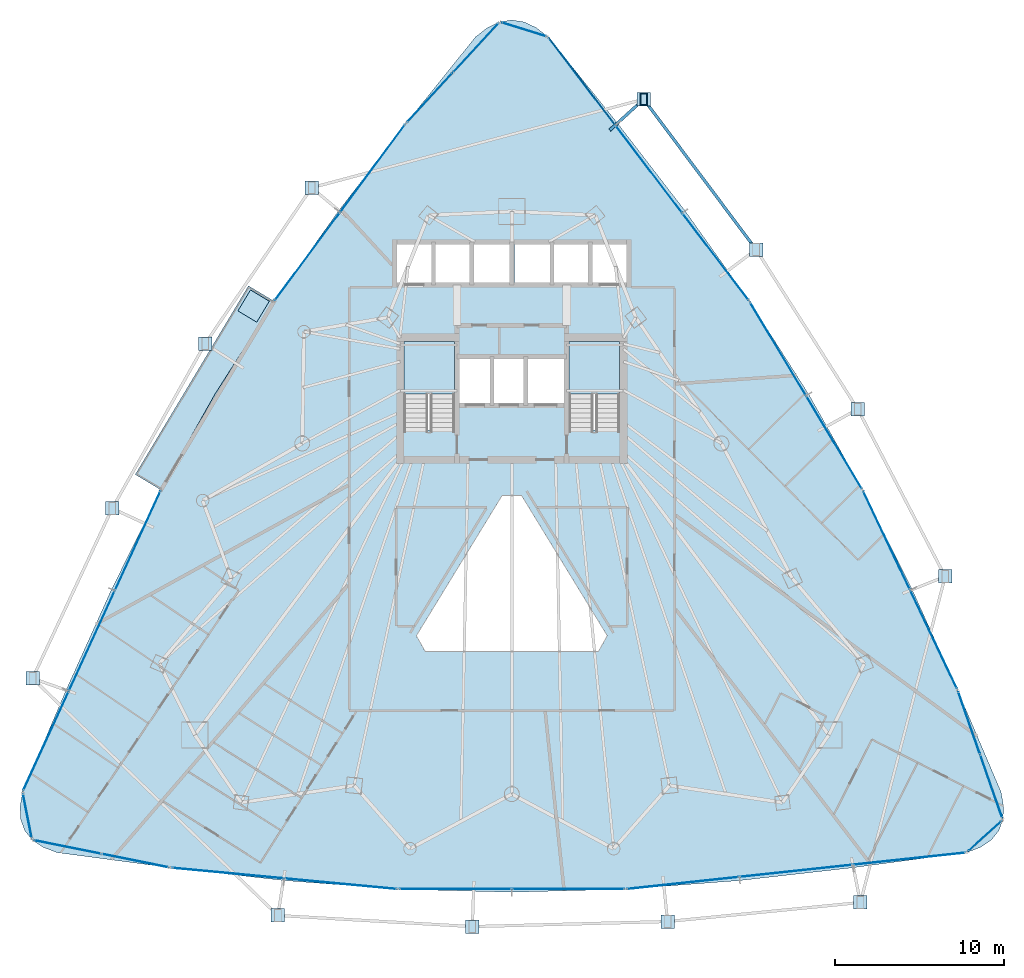
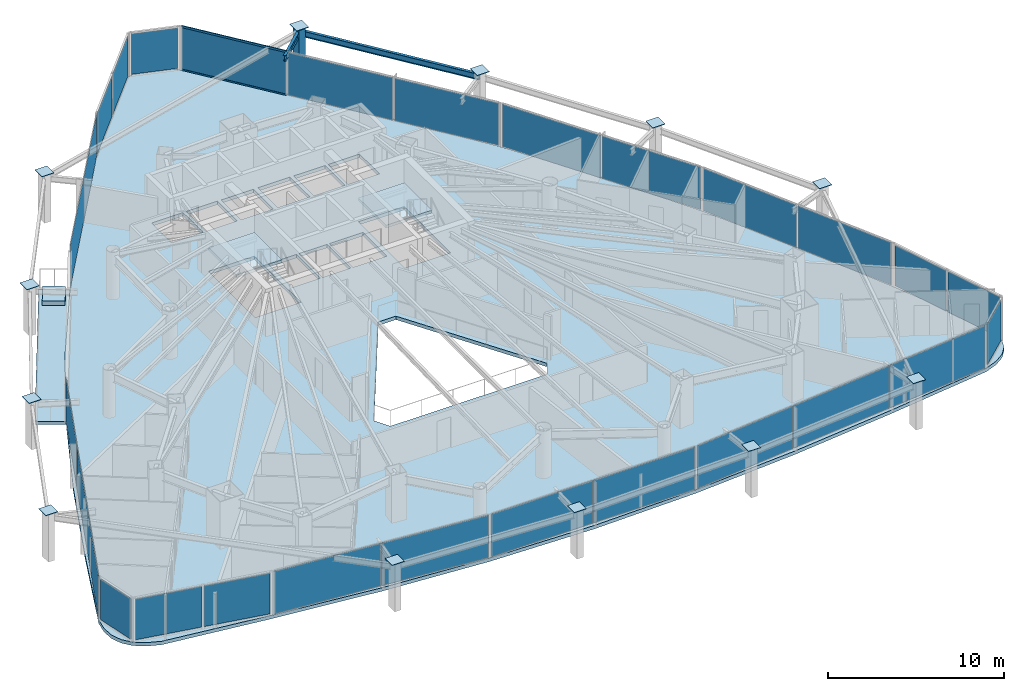
# One storey, part 28 of 35: 40 plates, 5 slabs, 3 members, 2 beams, 16 elements without a shape of their own.
"""IFC4 building model written with IfcOpenShell, lengths in metres."""

from ifc_helpers import new_model, si_unit, direction, frame, origin, origin_2d, place, context, subcontext, project, spatial, polyline, rectangle, hollow_rectangle, i_section, outline, extrude, material, layer, layer_set, material_profile, profile_set, type_object, element, aggregate, save


model = new_model("IFC4")

# Units and contexts
model_context = context("Model", 3, precision=1e-05, world=origin(), true_north=direction((0.0, 1.0)))
body_context = subcontext(model_context, "Body", "Model", "MODEL_VIEW")
ifc_project = project(units=[si_unit("LENGTHUNIT", "METRE"), si_unit("AREAUNIT", "SQUARE_METRE"), si_unit("VOLUMEUNIT", "CUBIC_METRE"), si_unit("PLANEANGLEUNIT", "RADIAN"), si_unit("MASSUNIT", "GRAM", prefix="KILO")], contexts=[model_context])

# Site, building, storey
site_placement = place(None, origin())
site = spatial("IfcSite", under=ifc_project, at=site_placement, CompositionType="ELEMENT")
building_placement = place(site_placement, origin())
building = spatial("IfcBuilding", under=site, at=building_placement, Name="Orvanel Arch Residences", CompositionType="ELEMENT")
storey_placement = place(building_placement, frame((0.0, 0.0, 30.199951171875)))
storey = spatial("IfcBuildingStorey", under=building, at=storey_placement, Name="L07", CompositionType="ELEMENT", Elevation=30.199951171875)

# Member
ifc_material_1 = material(Name="Structural steel AS/NZS 3678 Grade 350", Category="steel")
ifc_material_profile_1 = material_profile(ifc_material_1, hollow_rectangle(XDim=0.419921875, YDim=0.719970703125, WallThickness=0.02490234375, at=origin_2d()), Name="RHS720x420x25")
ifc_profile_set_1 = profile_set([ifc_material_profile_1], Name="Structural steel AS/NZS 3678 Grade 350")
member_type_1 = type_object("IfcMemberType", Name="CH-720RHS-EXT", PredefinedType="CHORD", material=ifc_profile_set_1)
member_1_placement = place(storey_placement, frame((40.822021484375, 48.05908203125, 0.0), z_axis=(0.0, 0.0, 1.0), x_axis=(1.0, 0.0, 0.0)))
element("IfcMember", 1, at=member_1_placement, inside=storey, type_object=member_type_1, Name="L07 Outer Perimeter Frame Post 12", PredefinedType="CHORD", context=body_context, shape_type="SweptSolid", body=[
    extrude(hollow_rectangle(XDim=0.419921875, YDim=0.719970703125, WallThickness=0.02490234375, at=origin_2d()), origin(), (0.0, 0.0, 1.0), 3.300048828125),
])

# Beams
ifc_material_2 = material(Name="Structural steel AS/NZS 3679.1 Grade 300 (300 MPa)", Category="steel")
ifc_material_profile_2 = material_profile(ifc_material_2, i_section(OverallWidth=0.177978515625, OverallDepth=0.406005859375, WebThickness=0.0078125, FlangeThickness=0.0126953125, at=origin_2d()), Name="410UB59.7")
ifc_profile_set_2 = profile_set([ifc_material_profile_2], Name="Structural steel AS/NZS 3679.1 Grade 300 (300 MPa)")
beam_type = type_object("IfcBeamType", Name="OB-410UB-EXT", PredefinedType="SPANDREL", material=ifc_profile_set_2)
beam_1_placement = place(storey_placement, frame((47.489013671875, 39.14306640625, 2.85693359375), z_axis=(-0.598848523343, 0.800862314065, 0.0), x_axis=(-0.800862314065, -0.598848523343, 0.0)))
element("IfcBeam", 2, at=beam_1_placement, inside=storey, type_object=beam_type, Name="L07 Outer Perimeter Floor Ring Beam 11", PredefinedType="SPANDREL", context=body_context, shape_type="SweptSolid", body=[
    extrude(i_section(OverallWidth=0.177978515625, OverallDepth=0.406005859375, WebThickness=0.0078125, FlangeThickness=0.0126953125, at=origin_2d()), origin(), (0.0, 0.0, 1.0), 11.133056640625),
])
beam_2_placement = place(storey_placement, frame((38.80810546875, 46.221923828125, 2.85693359375), z_axis=(0.738784017848, 0.673942263827, 0.0), x_axis=(-0.673942263827, 0.738784017848, 0.0)))
element("IfcBeam", 3, at=beam_2_placement, inside=storey, type_object=beam_type, Name="L07 Outer Frame Radial Tie Beam 12", PredefinedType="SPANDREL", context=body_context, shape_type="SweptSolid", body=[
    extrude(i_section(OverallWidth=0.177978515625, OverallDepth=0.406005859375, WebThickness=0.0078125, FlangeThickness=0.0126953125, at=origin_2d()), origin(), (0.0, 0.0, 1.0), 2.72607421875),
])

# Curtain wall, members
ifc_material_3 = material(Name="Bronze-anodised aluminium AA6063-T6", Category="aluminium")
ifc_layer_1 = layer(ifc_material_3, 0.179931640625)
ifc_layer_set_1 = layer_set([ifc_layer_1], Name="Bronze-anodised aluminium AA6063-T6")
curtain_wall_type_1 = type_object("IfcCurtainWallType", Name="CW2-LOW-SYS", PredefinedType="NOTDEFINED", material=ifc_layer_set_1)
curtain_wall_1_placement = place(storey_placement, origin())
curtain_wall_1 = element("IfcCurtainWall", 4, at=curtain_wall_1_placement, inside=storey, type_object=curtain_wall_type_1, Name="L07 CW2-LOW-SYS Unitised Curtain Wall", PredefinedType="NOTDEFINED")
ifc_material_profile_3 = material_profile(ifc_material_3, hollow_rectangle(XDim=0.06005859375, YDim=0.135009765625, WallThickness=0.00390625, at=origin_2d()), Name="ALU135x60x4")
ifc_profile_set_3 = profile_set([ifc_material_profile_3], Name="Bronze-anodised aluminium AA6063-T6")
member_type_2 = type_object("IfcMemberType", Name="TRN-135x60", PredefinedType="USERDEFINED", material=ifc_profile_set_3)
member_2_placement = place(storey_placement, frame((39.120361328125, 46.546630859375, 0.030029296875), z_axis=(-0.605818439678, 0.795602927437, 0.0), x_axis=(-0.795602927437, -0.605818439678, 0.0)))
member_2 = element("IfcMember", 5, at=member_2_placement, type_object=member_type_2, Name="CW-S2 transom 3.1", ObjectType="TRANSOM", PredefinedType="USERDEFINED", context=body_context, shape_type="SweptSolid", body=[
    extrude(hollow_rectangle(XDim=0.06005859375, YDim=0.135009765625, WallThickness=0.00390625, at=origin_2d()), origin(), (0.0, 0.0, 1.0), 6.447509765625),
])
member_3_placement = place(storey_placement, frame((39.120361328125, 46.546630859375, 3.030029296875), z_axis=(-0.605818439678, 0.795602927437, 0.0), x_axis=(-0.795602927437, -0.605818439678, 0.0)))
member_3 = element("IfcMember", 6, at=member_3_placement, type_object=member_type_2, Name="CW-S2 transom 3.2", ObjectType="TRANSOM", PredefinedType="USERDEFINED", context=body_context, shape_type="SweptSolid", body=[
    extrude(hollow_rectangle(XDim=0.06005859375, YDim=0.135009765625, WallThickness=0.00390625, at=origin_2d()), origin(), (0.0, 0.0, 1.0), 6.447509765625),
])

# Plates
ifc_layer_2 = layer(ifc_material_1, 0.031982421875)
ifc_layer_set_2 = layer_set([ifc_layer_2], Name="Structural steel AS/NZS 3678 Grade 350")
plate_type_1 = type_object("IfcPlateType", Name="PL-CAP-32", PredefinedType="SHEET", material=ifc_layer_set_2)
for number, where, z_axis, x_axis, name in (
    (7, (21.126953125, 42.80908203125, 3.2841796875), (0.0, 0.0, 1.0), (1.0, 0.0, 0.0), "L07 hollow member end cap plate"),
    (8, (14.81494140625, 33.56494140625, 3.2841796875), (0.0, 0.0, 1.0), (1.0, 0.0, 0.0), "L07 hollow member end cap plate"),
    (9, (9.300048828125, 23.787109375, 3.2841796875), (0.0, 0.0, 1.0), (1.0, 0.0, 0.0), "L07 hollow member end cap plate"),
    (10, (4.572998046875, 13.7080078125, 3.2841796875), (0.0, 0.0, 1.0), (1.0, 0.0, 0.0), "L07 hollow member end cap plate"),
    (11, (19.125, -0.35595703125, 3.2841796875), (0.0, 0.0, 1.0), (1.0, 0.0, 0.0), "L07 hollow member end cap plate"),
    (12, (30.658935546875, -1.013916015625, 3.2841796875), (0.0, 0.0, 1.0), (1.0, 0.0, 0.0), "L07 hollow member end cap plate"),
    (13, (42.239013671875, -0.714111328125, 3.2841796875), (0.0, 0.0, 1.0), (1.0, 0.0, 0.0), "L07 hollow member end cap plate"),
    (14, (53.677001953125, 0.416015625, 3.2841796875), (0.0, 0.0, 1.0), (1.0, 0.0, 0.0), "L07 hollow member end cap plate"),
    (15, (58.701904296875, 19.75390625, 3.2841796875), (0.0, 0.0, 1.0), (1.0, 0.0, 0.0), "L07 hollow member end cap plate"),
    (16, (53.51904296875, 29.675048828125, 3.2841796875), (0.0, 0.0, 1.0), (1.0, 0.0, 0.0), "L07 hollow member end cap plate"),
    (17, (47.489013671875, 39.14306640625, 3.2841796875), (0.0, 0.0, 1.0), (1.0, 0.0, 0.0), "L07 hollow member end cap plate"),
    (18, (40.822021484375, 48.05908203125, 3.2841796875), (0.0, 0.0, 1.0), (1.0, 0.0, 0.0), "L07 hollow member end cap plate"),
):
    element("IfcPlate", number, at=place(storey_placement, frame(where, z_axis=z_axis, x_axis=x_axis)), inside=storey, type_object=plate_type_1, Name=name, PredefinedType="SHEET", context=body_context, shape_type="SweptSolid", body=[
        extrude(rectangle(XDim=0.800048828125, YDim=0.800048828125, at=origin_2d()), origin(), (0.0, 0.0, 1.0), 0.031982421875),
    ])

# Curtain wall, plates
curtain_wall_2_placement = place(storey_placement, origin())
curtain_wall_2 = element("IfcCurtainWall", 19, at=curtain_wall_2_placement, inside=storey, type_object=curtain_wall_type_1, Name="L07 CW2-LOW-SYS Unitised Curtain Wall", PredefinedType="NOTDEFINED")
ifc_material_4 = material(Name="Double-glazed solar-control low-E safety glass", Category="glass")
ifc_layer_3 = layer(ifc_material_4, 0.028076171875)
ifc_layer_set_3 = layer_set([ifc_layer_3], Name="Double-glazed solar-control low-E safety glass")
plate_type_2 = type_object("IfcPlateType", Name="PNL-GLZ-28", PredefinedType="CURTAIN_PANEL", material=ifc_layer_set_3)
plate_1_placement = place(storey_placement, frame((24.74365234375, 43.95751953125, 0.06005859375), z_axis=(0.0, 0.0, 1.0), x_axis=(-0.595117785002, -0.803638489605, 0.0)))
plate_1 = element("IfcPlate", 20, at=plate_1_placement, type_object=plate_type_2, Name="CW-S2 panel 1.1", PredefinedType="CURTAIN_PANEL", context=body_context, shape_type="SweptSolid", body=[
    extrude(rectangle(XDim=6.431640625, YDim=0.028076171875, at=origin_2d()), origin(), (0.0, 0.0, 1.0), 2.93994140625),
])
plate_2_placement = place(storey_placement, frame((20.87451171875, 38.732666015625, 0.06005859375), z_axis=(0.0, 0.0, 1.0), x_axis=(-0.595117785002, -0.803638489605, 0.0)))
plate_2 = element("IfcPlate", 21, at=plate_2_placement, type_object=plate_type_2, Name="CW-S2 panel 2.1", PredefinedType="CURTAIN_PANEL", context=body_context, shape_type="SweptSolid", body=[
    extrude(rectangle(XDim=6.431640625, YDim=0.028076171875, at=origin_2d()), origin(), (0.0, 0.0, 1.0), 2.93994140625),
])
aggregate(curtain_wall_2, [plate_1, plate_2])

curtain_wall_3_placement = place(storey_placement, origin())
curtain_wall_3 = element("IfcCurtainWall", 22, at=curtain_wall_3_placement, inside=storey, type_object=curtain_wall_type_1, Name="L07 CW2-LOW-SYS Unitised Curtain Wall", PredefinedType="NOTDEFINED")
plate_3_placement = place(storey_placement, frame((10.812255859375, 21.870849609375, 0.06005859375), z_axis=(0.0, 0.0, 1.0), x_axis=(-0.416763304229, -0.909015042916, 0.0)))
plate_3 = element("IfcPlate", 23, at=plate_3_placement, type_object=plate_type_2, Name="CW-S2 panel 1.1", PredefinedType="CURTAIN_PANEL", context=body_context, shape_type="SweptSolid", body=[
    extrude(rectangle(XDim=6.447998046875, YDim=0.028076171875, at=origin_2d()), origin(), (0.0, 0.0, 1.0), 2.93994140625),
])
plate_4_placement = place(storey_placement, frame((8.08837890625, 15.929931640625, 0.06005859375), z_axis=(0.0, 0.0, 1.0), x_axis=(-0.416763304229, -0.909015042916, 0.0)))
plate_4 = element("IfcPlate", 24, at=plate_4_placement, type_object=plate_type_2, Name="CW-S2 panel 2.1", PredefinedType="CURTAIN_PANEL", context=body_context, shape_type="SweptSolid", body=[
    extrude(rectangle(XDim=6.48291015625, YDim=0.028076171875, at=origin_2d()), origin(), (0.0, 0.0, 1.0), 2.93994140625),
])
plate_5_placement = place(storey_placement, frame((5.36474609375, 9.9892578125, 0.06005859375), z_axis=(0.0, 0.0, 1.0), x_axis=(-0.416763304229, -0.909015042916, 0.0)))
plate_5 = element("IfcPlate", 25, at=plate_5_placement, type_object=plate_type_2, Name="CW-S2 panel 3.1", PredefinedType="CURTAIN_PANEL", context=body_context, shape_type="SweptSolid", body=[
    extrude(rectangle(XDim=6.447998046875, YDim=0.028076171875, at=origin_2d()), origin(), (0.0, 0.0, 1.0), 2.93994140625),
])
aggregate(curtain_wall_3, [plate_3, plate_4, plate_5])

curtain_wall_4_placement = place(storey_placement, origin())
curtain_wall_4 = element("IfcCurtainWall", 26, at=curtain_wall_4_placement, inside=storey, type_object=curtain_wall_type_1, Name="L07 CW2-LOW-SYS Unitised Curtain Wall", PredefinedType="NOTDEFINED")
plate_6_placement = place(storey_placement, frame((16.166748046875, 2.1552734375, 0.06005859375), z_axis=(0.0, 0.0, 1.0), x_axis=(0.995584855885, -0.093865833683, 0.0)))
plate_6 = element("IfcPlate", 27, at=plate_6_placement, type_object=plate_type_2, Name="CW-S2 panel 1.1", PredefinedType="CURTAIN_PANEL", context=body_context, shape_type="SweptSolid", body=[
    extrude(rectangle(XDim=6.6494140625, YDim=0.028076171875, at=origin_2d()), origin(), (0.0, 0.0, 1.0), 2.93994140625),
])
plate_7_placement = place(storey_placement, frame((22.8564453125, 1.524658203125, 0.06005859375), z_axis=(0.0, 0.0, 1.0), x_axis=(0.995584855885, -0.093865833683, 0.0)))
plate_7 = element("IfcPlate", 28, at=plate_7_placement, type_object=plate_type_2, Name="CW-S2 panel 2.1", PredefinedType="CURTAIN_PANEL", context=body_context, shape_type="SweptSolid", body=[
    extrude(rectangle(XDim=6.6494140625, YDim=0.028076171875, at=origin_2d()), origin(), (0.0, 0.0, 1.0), 2.93994140625),
])
aggregate(curtain_wall_4, [plate_6, plate_7])

curtain_wall_5_placement = place(storey_placement, origin())
curtain_wall_5 = element("IfcCurtainWall", 29, at=curtain_wall_5_placement, inside=storey, type_object=curtain_wall_type_1, Name="L07 CW2-LOW-SYS Unitised Curtain Wall", PredefinedType="NOTDEFINED")
plate_8_placement = place(storey_placement, frame((29.655517578125, 1.2041015625, 0.06005859375), z_axis=(0.0, 0.0, 1.0), x_axis=(1.0, 0.0, 0.0)))
plate_8 = element("IfcPlate", 30, at=plate_8_placement, type_object=plate_type_2, Name="CW-S2 panel 1.1", PredefinedType="CURTAIN_PANEL", context=body_context, shape_type="SweptSolid", body=[
    extrude(rectangle(XDim=6.618896484375, YDim=0.028076171875, at=origin_2d()), origin(), (0.0, 0.0, 1.0), 2.93994140625),
])
plate_9_placement = place(storey_placement, frame((36.344482421875, 1.2041015625, 0.06005859375), z_axis=(0.0, 0.0, 1.0), x_axis=(1.0, 0.0, 0.0)))
plate_9 = element("IfcPlate", 31, at=plate_9_placement, type_object=plate_type_2, Name="CW-S2 panel 2.1", PredefinedType="CURTAIN_PANEL", context=body_context, shape_type="SweptSolid", body=[
    extrude(rectangle(XDim=6.618896484375, YDim=0.028076171875, at=origin_2d()), origin(), (0.0, 0.0, 1.0), 2.93994140625),
])
aggregate(curtain_wall_5, [plate_8, plate_9])

curtain_wall_6_placement = place(storey_placement, origin())
curtain_wall_6 = element("IfcCurtainWall", 32, at=curtain_wall_6_placement, inside=storey, type_object=curtain_wall_type_1, Name="L07 CW2-LOW-SYS Unitised Curtain Wall", PredefinedType="NOTDEFINED")
plate_10_placement = place(storey_placement, frame((43.14697265625, 1.569091796875, 0.06005859375), z_axis=(0.0, 0.0, 1.0), x_axis=(0.994291070685, 0.106701765481, 0.0)))
plate_10 = element("IfcPlate", 33, at=plate_10_placement, type_object=plate_type_2, Name="CW-S2 panel 1.1", PredefinedType="CURTAIN_PANEL", context=body_context, shape_type="SweptSolid", body=[
    extrude(rectangle(XDim=6.66455078125, YDim=0.028076171875, at=origin_2d()), origin(), (0.0, 0.0, 1.0), 2.93994140625),
])
plate_11_placement = place(storey_placement, frame((49.860595703125, 2.28955078125, 0.06005859375), z_axis=(0.0, 0.0, 1.0), x_axis=(0.994291070685, 0.106701765481, 0.0)))
plate_11 = element("IfcPlate", 34, at=plate_11_placement, type_object=plate_type_2, Name="CW-S2 panel 2.1", PredefinedType="CURTAIN_PANEL", context=body_context, shape_type="SweptSolid", body=[
    extrude(rectangle(XDim=6.69970703125, YDim=0.028076171875, at=origin_2d()), origin(), (0.0, 0.0, 1.0), 2.93994140625),
])
plate_12_placement = place(storey_placement, frame((56.57421875, 3.010009765625, 0.06005859375), z_axis=(0.0, 0.0, 1.0), x_axis=(0.994291070685, 0.106701765481, 0.0)))
plate_12 = element("IfcPlate", 35, at=plate_12_placement, type_object=plate_type_2, Name="CW-S2 panel 3.1", PredefinedType="CURTAIN_PANEL", context=body_context, shape_type="SweptSolid", body=[
    extrude(rectangle(XDim=6.66455078125, YDim=0.028076171875, at=origin_2d()), origin(), (0.0, 0.0, 1.0), 2.93994140625),
])
aggregate(curtain_wall_6, [plate_10, plate_11, plate_12])

curtain_wall_7_placement = place(storey_placement, origin())
curtain_wall_7 = element("IfcCurtainWall", 36, at=curtain_wall_7_placement, inside=storey, type_object=curtain_wall_type_1, Name="L07 CW2-LOW-SYS Unitised Curtain Wall", PredefinedType="NOTDEFINED")
plate_13_placement = place(storey_placement, frame((58.012939453125, 16.0224609375, 0.06005859375), z_axis=(0.0, 0.0, 1.0), x_axis=(-0.428793124403, 0.903402710016, 0.0)))
plate_13 = element("IfcPlate", 37, at=plate_13_placement, type_object=plate_type_2, Name="CW-S2 panel 1.1", PredefinedType="CURTAIN_PANEL", context=body_context, shape_type="SweptSolid", body=[
    extrude(rectangle(XDim=6.431884765625, YDim=0.028076171875, at=origin_2d()), origin(), (0.0, 0.0, 1.0), 2.93994140625),
])
plate_14_placement = place(storey_placement, frame((55.22509765625, 21.896484375, 0.06005859375), z_axis=(0.0, 0.0, 1.0), x_axis=(-0.428793124403, 0.903402710016, 0.0)))
plate_14 = element("IfcPlate", 38, at=plate_14_placement, type_object=plate_type_2, Name="CW-S2 panel 2.1", PredefinedType="CURTAIN_PANEL", context=body_context, shape_type="SweptSolid", body=[
    extrude(rectangle(XDim=6.431884765625, YDim=0.028076171875, at=origin_2d()), origin(), (0.0, 0.0, 1.0), 2.93994140625),
])
aggregate(curtain_wall_7, [plate_13, plate_14])

curtain_wall_8_placement = place(storey_placement, origin())
curtain_wall_8 = element("IfcCurtainWall", 39, at=curtain_wall_8_placement, inside=storey, type_object=curtain_wall_type_1, Name="L07 CW2-LOW-SYS Unitised Curtain Wall", PredefinedType="NOTDEFINED")
plate_15_placement = place(storey_placement, frame((52.114501953125, 27.704833984375, 0.06005859375), z_axis=(0.0, 0.0, 1.0), x_axis=(-0.514416645603, 0.857540386644, 0.0)))
plate_15 = element("IfcPlate", 40, at=plate_15_placement, type_object=plate_type_2, Name="CW-S2 panel 1.1", PredefinedType="CURTAIN_PANEL", context=body_context, shape_type="SweptSolid", body=[
    extrude(rectangle(XDim=6.4013671875, YDim=0.028076171875, at=origin_2d()), origin(), (0.0, 0.0, 1.0), 2.93994140625),
])
plate_16_placement = place(storey_placement, frame((48.785400390625, 33.254150390625, 0.06005859375), z_axis=(0.0, 0.0, 1.0), x_axis=(-0.514416645603, 0.857540386644, 0.0)))
plate_16 = element("IfcPlate", 41, at=plate_16_placement, type_object=plate_type_2, Name="CW-S2 panel 2.1", PredefinedType="CURTAIN_PANEL", context=body_context, shape_type="SweptSolid", body=[
    extrude(rectangle(XDim=6.4013671875, YDim=0.028076171875, at=origin_2d()), origin(), (0.0, 0.0, 1.0), 2.93994140625),
])
aggregate(curtain_wall_8, [plate_15, plate_16])

# Plate
plate_17_placement = place(storey_placement, frame((45.08544921875, 38.712646484375, 0.06005859375), z_axis=(0.0, 0.0, 1.0), x_axis=(-0.605811756299, 0.795608016507, 0.0)))
plate_17 = element("IfcPlate", 42, at=plate_17_placement, type_object=plate_type_2, Name="CW-S2 panel 1.1", PredefinedType="CURTAIN_PANEL", context=body_context, shape_type="SweptSolid", body=[
    extrude(rectangle(XDim=6.44775390625, YDim=0.028076171875, at=origin_2d()), origin(), (0.0, 0.0, 1.0), 2.93994140625),
])

plate_18_placement = place(storey_placement, frame((41.12646484375, 43.912109375, 0.06005859375), z_axis=(0.0, 0.0, 1.0), x_axis=(-0.605811756299, 0.795608016507, 0.0)))
plate_18 = element("IfcPlate", 43, at=plate_18_placement, type_object=plate_type_2, Name="CW-S2 panel 2.1", PredefinedType="CURTAIN_PANEL", context=body_context, shape_type="SweptSolid", body=[
    extrude(rectangle(XDim=6.482666015625, YDim=0.028076171875, at=origin_2d()), origin(), (0.0, 0.0, 1.0), 2.93994140625),
])

plate_19_placement = place(storey_placement, frame((37.16748046875, 49.111328125, 0.06005859375), z_axis=(0.0, 0.0, 1.0), x_axis=(-0.605811756299, 0.795608016507, 0.0)))
plate_19 = element("IfcPlate", 44, at=plate_19_placement, type_object=plate_type_2, Name="CW-S2 panel 3.1", PredefinedType="CURTAIN_PANEL", context=body_context, shape_type="SweptSolid", body=[
    extrude(rectangle(XDim=6.44775390625, YDim=0.028076171875, at=origin_2d()), origin(), (0.0, 0.0, 1.0), 2.93994140625),
])

aggregate(curtain_wall_1, [plate_17, plate_18, member_2, member_3, plate_19])

# Curtain wall, plate
ifc_layer_4 = layer(ifc_material_3, 0.18994140625)
ifc_layer_set_4 = layer_set([ifc_layer_4], Name="Bronze-anodised aluminium AA6063-T6")
curtain_wall_type_2 = type_object("IfcCurtainWallType", Name="CW5-CRN-SYS", PredefinedType="NOTDEFINED", material=ifc_layer_set_4)
curtain_wall_9_placement = place(storey_placement, origin())
curtain_wall_9 = element("IfcCurtainWall", 45, at=curtain_wall_9_placement, inside=storey, type_object=curtain_wall_type_2, Name="L07 CW5-CRN-SYS Unitised Curtain Wall", PredefinedType="NOTDEFINED")
ifc_layer_5 = layer(ifc_material_4, 0.031982421875)
ifc_layer_set_5 = layer_set([ifc_layer_5], Name="Double-glazed solar-control low-E safety glass")
plate_type_3 = type_object("IfcPlateType", Name="PNL-GLZ-32", PredefinedType="CURTAIN_PANEL", material=ifc_layer_set_5)
plate_20_placement = place(storey_placement, frame((33.719970703125, 52.196533203125, 0.1298828125), z_axis=(0.0, 0.0, 1.0), x_axis=(-0.954778389381, 0.297318393597, 0.0)))
plate_20 = element("IfcPlate", 46, at=plate_20_placement, type_object=plate_type_3, Name="CW-S5 panel 1.1", PredefinedType="CURTAIN_PANEL", context=body_context, shape_type="SweptSolid", body=[
    extrude(rectangle(XDim=2.676513671875, YDim=0.031982421875, at=origin_2d()), origin(), (0.0, 0.0, 1.0), 2.800048828125),
])
aggregate(curtain_wall_9, [plate_20])

# Curtain wall, plates
curtain_wall_10_placement = place(storey_placement, origin())
curtain_wall_10 = element("IfcCurtainWall", 47, at=curtain_wall_10_placement, inside=storey, type_object=curtain_wall_type_2, Name="L07 CW5-CRN-SYS Unitised Curtain Wall", PredefinedType="NOTDEFINED")
plate_21_placement = place(storey_placement, frame((30.855224609375, 51.102294921875, 0.1298828125), z_axis=(0.0, 0.0, 1.0), x_axis=(-0.678386879912, -0.734704866707, 0.0)))
plate_21 = element("IfcPlate", 48, at=plate_21_placement, type_object=plate_type_3, Name="CW-S5 panel 1.1", PredefinedType="CURTAIN_PANEL", context=body_context, shape_type="SweptSolid", body=[
    extrude(rectangle(XDim=3.85888671875, YDim=0.031982421875, at=origin_2d()), origin(), (0.0, 0.0, 1.0), 2.800048828125),
])
plate_22_placement = place(storey_placement, frame((28.1357421875, 48.15673828125, 0.1298828125), z_axis=(0.0, 0.0, 1.0), x_axis=(-0.678386879912, -0.734704866707, 0.0)))
plate_22 = element("IfcPlate", 49, at=plate_22_placement, type_object=plate_type_3, Name="CW-S5 panel 2.1", PredefinedType="CURTAIN_PANEL", context=body_context, shape_type="SweptSolid", body=[
    extrude(rectangle(XDim=3.85888671875, YDim=0.031982421875, at=origin_2d()), origin(), (0.0, 0.0, 1.0), 2.800048828125),
])
aggregate(curtain_wall_10, [plate_21, plate_22])

# Curtain wall, plate
curtain_wall_11_placement = place(storey_placement, origin())
curtain_wall_11 = element("IfcCurtainWall", 50, at=curtain_wall_11_placement, inside=storey, type_object=curtain_wall_type_2, Name="L07 CW5-CRN-SYS Unitised Curtain Wall", PredefinedType="NOTDEFINED")
plate_23_placement = place(storey_placement, frame((4.26806640625, 5.552001953125, 0.1298828125), z_axis=(0.0, 0.0, 1.0), x_axis=(0.195444918456, -0.980714680144, 0.0)))
plate_23 = element("IfcPlate", 51, at=plate_23_placement, type_object=plate_type_3, Name="CW-S5 panel 1.1", PredefinedType="CURTAIN_PANEL", context=body_context, shape_type="SweptSolid", body=[
    extrude(rectangle(XDim=2.565185546875, YDim=0.031982421875, at=origin_2d()), origin(), (0.0, 0.0, 1.0), 2.800048828125),
])
aggregate(curtain_wall_11, [plate_23])

# Curtain wall, plates
curtain_wall_12_placement = place(storey_placement, origin())
curtain_wall_12 = element("IfcCurtainWall", 52, at=curtain_wall_12_placement, inside=storey, type_object=curtain_wall_type_2, Name="L07 CW5-CRN-SYS Unitised Curtain Wall", PredefinedType="NOTDEFINED")
plate_24_placement = place(storey_placement, frame((6.652587890625, 3.704833984375, 0.1298828125), z_axis=(0.0, 0.0, 1.0), x_axis=(0.980395740086, -0.197038556687, 0.0)))
plate_24 = element("IfcPlate", 53, at=plate_24_placement, type_object=plate_type_3, Name="CW-S5 panel 1.1", PredefinedType="CURTAIN_PANEL", context=body_context, shape_type="SweptSolid", body=[
    extrude(rectangle(XDim=3.9443359375, YDim=0.031982421875, at=origin_2d()), origin(), (0.0, 0.0, 1.0), 2.800048828125),
])
plate_25_placement = place(storey_placement, frame((10.66650390625, 2.898193359375, 0.1298828125), z_axis=(0.0, 0.0, 1.0), x_axis=(0.980395740086, -0.197038556687, 0.0)))
plate_25 = element("IfcPlate", 54, at=plate_25_placement, type_object=plate_type_3, Name="CW-S5 panel 2.1", PredefinedType="CURTAIN_PANEL", context=body_context, shape_type="SweptSolid", body=[
    extrude(rectangle(XDim=3.9443359375, YDim=0.031982421875, at=origin_2d()), origin(), (0.0, 0.0, 1.0), 2.800048828125),
])
aggregate(curtain_wall_12, [plate_24, plate_25])

# Curtain wall, plate
curtain_wall_13_placement = place(storey_placement, origin())
curtain_wall_13 = element("IfcCurtainWall", 55, at=curtain_wall_13_placement, inside=storey, type_object=curtain_wall_type_2, Name="L07 CW5-CRN-SYS Unitised Curtain Wall", PredefinedType="NOTDEFINED")
plate_26_placement = place(storey_placement, frame((61.052490234375, 4.3515625, 0.1298828125), z_axis=(0.0, 0.0, 1.0), x_axis=(0.740145309845, 0.672446964685, 0.0)))
plate_26 = element("IfcPlate", 56, at=plate_26_placement, type_object=plate_type_3, Name="CW-S5 panel 1.1", PredefinedType="CURTAIN_PANEL", context=body_context, shape_type="SweptSolid", body=[
    extrude(rectangle(XDim=2.565673828125, YDim=0.031982421875, at=origin_2d()), origin(), (0.0, 0.0, 1.0), 2.800048828125),
])
aggregate(curtain_wall_13, [plate_26])

# Curtain wall, plates
curtain_wall_14_placement = place(storey_placement, origin())
curtain_wall_14 = element("IfcCurtainWall", 57, at=curtain_wall_14_placement, inside=storey, type_object=curtain_wall_type_2, Name="L07 CW5-CRN-SYS Unitised Curtain Wall", PredefinedType="NOTDEFINED")
plate_27_placement = place(storey_placement, frame((61.43798828125, 7.2998046875, 0.1298828125), z_axis=(0.0, 0.0, 1.0), x_axis=(-0.330185966322, 0.943915900726, 0.0)))
plate_27 = element("IfcPlate", 58, at=plate_27_placement, type_object=plate_type_3, Name="CW-S5 panel 1.1", PredefinedType="CURTAIN_PANEL", context=body_context, shape_type="SweptSolid", body=[
    extrude(rectangle(XDim=3.837890625, YDim=0.031982421875, at=origin_2d()), origin(), (0.0, 0.0, 1.0), 2.800048828125),
])
plate_28_placement = place(storey_placement, frame((60.12109375, 11.064208984375, 0.1298828125), z_axis=(0.0, 0.0, 1.0), x_axis=(-0.330185966322, 0.943915900726, 0.0)))
plate_28 = element("IfcPlate", 59, at=plate_28_placement, type_object=plate_type_3, Name="CW-S5 panel 2.1", PredefinedType="CURTAIN_PANEL", context=body_context, shape_type="SweptSolid", body=[
    extrude(rectangle(XDim=3.837890625, YDim=0.031982421875, at=origin_2d()), origin(), (0.0, 0.0, 1.0), 2.800048828125),
])
aggregate(curtain_wall_14, [plate_27, plate_28])

# Slab
ifc_material_5 = material(Name="Concrete N40 (40 MPa)", Category="concrete")
ifc_layer_6 = layer(ifc_material_5, 0.215087890625)
ifc_layer_set_6 = layer_set([ifc_layer_6], Name="Concrete N40 (40 MPa)")
slab_type_1 = type_object("IfcSlabType", Name="SLB-BAL-215", PredefinedType="FLOOR", material=ifc_layer_set_6)
slab_1_placement = place(storey_placement, frame((0.0, 0.0, -0.21484375)))
element("IfcSlab", 60, at=slab_1_placement, inside=storey, type_object=slab_type_1, Name="L07 Cantilevered Balcony Slab Face 1", PredefinedType="FLOOR", context=body_context, shape_type="SweptSolid", body=[
    extrude(outline(polyline([(17.3798828125, 36.990966796875), (10.666015625, 25.799072265625), (12.193115234375, 24.883056640625), (15.39599609375, 30.571044921875), (18.906982421875, 36.075927734375), (17.3798828125, 36.990966796875)])), origin(), (0.0, 0.0, 1.0), 0.21484375),
])

# Stair, slab
ifc_material_6 = material(Name="Precast concrete N50 (50 MPa)", Category="concrete")
stair_type = type_object("IfcStairType", Name="STR-DOG-184", PredefinedType="USERDEFINED", material=ifc_material_6)
stair_1_placement = place(storey_placement, origin())
stair_1 = element("IfcStair", 61, at=stair_1_placement, inside=storey, type_object=stair_type, Name="L07 Fire-Isolated Core Exit Stair 1", ObjectType="TWO_RETURN_STAIR", PredefinedType="USERDEFINED")
ifc_layer_7 = layer(ifc_material_5, 0.199951171875)
ifc_layer_set_7 = layer_set([ifc_layer_7], Name="Concrete N40 (40 MPa)")
slab_type_2 = type_object("IfcSlabType", Name="SLB-LND-200", PredefinedType="LANDING", material=ifc_layer_set_7)
slab_2_placement = place(storey_placement, frame((0.0, 0.0, 1.449951171875)))
slab_2 = element("IfcSlab", 62, at=slab_2_placement, type_object=slab_type_2, Name="ST-1 landing 1", PredefinedType="LANDING", context=body_context, shape_type="SweptSolid", body=[
    extrude(outline(polyline([(29.60009765625, 30.56005859375), (29.60009765625, 33.699951171875), (26.60009765625, 33.699951171875), (26.60009765625, 30.56005859375), (29.60009765625, 30.56005859375)])), origin(), (0.0, 0.0, 1.0), 0.2001953125),
])
aggregate(stair_1, [slab_2])

stair_2_placement = place(storey_placement, origin())
stair_2 = element("IfcStair", 63, at=stair_2_placement, inside=storey, type_object=stair_type, Name="L07 Fire-Isolated Core Exit Stair 2", ObjectType="TWO_RETURN_STAIR", PredefinedType="USERDEFINED")
slab_3_placement = place(storey_placement, frame((0.0, 0.0, 1.449951171875)))
slab_3 = element("IfcSlab", 64, at=slab_3_placement, type_object=slab_type_2, Name="ST-2 landing 1", PredefinedType="LANDING", context=body_context, shape_type="SweptSolid", body=[
    extrude(outline(polyline([(39.39990234375, 30.56005859375), (39.39990234375, 33.699951171875), (36.39990234375, 33.699951171875), (36.39990234375, 30.56005859375), (39.39990234375, 30.56005859375)])), origin(), (0.0, 0.0, 1.0), 0.2001953125),
])
aggregate(stair_2, [slab_3])

# Slabs
ifc_material_7 = material(Name="Structural architectural precast concrete N40 (40 MPa) planter", Category="concrete")
ifc_layer_8 = layer(ifc_material_7, 0.320068359375)
ifc_layer_set_8 = layer_set([ifc_layer_8], Name="Structural architectural precast concrete N40 (40 MPa) planter")
slab_type_3 = type_object("IfcSlabType", Name="SLB-PLN-320", PredefinedType="USERDEFINED", material=ifc_layer_set_8)
slab_4_placement = place(storey_placement, origin())
element("IfcSlab", 65, at=slab_4_placement, inside=storey, type_object=slab_type_3, Name="L07 Balcony TREE PLANTER Face 1", ObjectType="PLANTER", PredefinedType="USERDEFINED", context=body_context, shape_type="SweptSolid", body=[
    extrude(outline(polyline([(17.5, 36.743896484375), (16.75390625, 35.5009765625), (17.868896484375, 34.83203125), (18.614990234375, 36.075927734375), (17.5, 36.743896484375)])), origin(), (0.0, 0.0, 1.0), 0.320068359375),
])
ifc_layer_9 = layer(ifc_material_5, 0.239990234375)
ifc_layer_set_9 = layer_set([ifc_layer_9], Name="Concrete N40 (40 MPa)")
slab_type_4 = type_object("IfcSlabType", Name="SLB-TYP-240", PredefinedType="FLOOR", material=ifc_layer_set_9)
slab_5_placement = place(storey_placement, frame((0.0, 0.0, -0.239990234375)))
element("IfcSlab", 66, at=slab_5_placement, inside=storey, type_object=slab_type_4, Name="L07 Tower Floor Slab", PredefinedType="FLOOR", context=body_context, shape_type="SweptSolid", body=[
    extrude(outline(polyline([(35.159912109375, 51.748046875), (34.43994140625, 52.30908203125), (33.719970703125, 52.64501953125), (33.0, 52.757080078125), (32.280029296875, 52.64501953125), (31.56005859375, 52.30908203125), (30.840087890625, 51.748046875), (26.7109375, 46.614013671875), (22.700927734375, 41.409912109375), (18.906982421875, 36.075927734375), (15.39599609375, 30.571044921875), (12.193115234375, 24.883056640625), (9.27294921875, 19.02392578125), (6.569091796875, 13.035888671875), (3.98388671875, 6.97705078125), (3.8291015625, 6.095947265625), (3.8720703125, 5.327880859375), (4.113037109375, 4.672119140625), (4.552001953125, 4.126953125), (5.18896484375, 3.695068359375), (6.02294921875, 3.375), (12.76708984375, 2.47607421875), (19.511962890625, 1.712890625), (26.256103515625, 1.2041015625), (33.0, 1.02490234375), (39.743896484375, 1.2041015625), (46.489013671875, 1.712890625), (53.23291015625, 2.47607421875), (59.97705078125, 3.375), (60.81201171875, 3.695068359375), (61.447998046875, 4.126953125), (61.886962890625, 4.672119140625), (62.1279296875, 5.327880859375), (62.1708984375, 6.095947265625), (62.01611328125, 6.97705078125), (59.430908203125, 13.035888671875), (56.72705078125, 19.02392578125), (53.806884765625, 24.883056640625), (50.60400390625, 30.571044921875), (47.093017578125, 36.075927734375), (43.300048828125, 41.409912109375), (39.2890625, 46.614013671875), (35.159912109375, 51.748046875)]), holes=[polyline([(26.60009765625, 28.429931640625), (26.60009765625, 33.699951171875), (29.60009765625, 33.699951171875), (29.60009765625, 28.429931640625), (26.60009765625, 28.429931640625)]), polyline([(36.39990234375, 28.429931640625), (36.39990234375, 33.699951171875), (39.39990234375, 33.699951171875), (39.39990234375, 28.429931640625), (36.39990234375, 28.429931640625)]), polyline([(29.89990234375, 32.64990234375), (31.75, 32.64990234375), (31.75, 29.949951171875), (29.89990234375, 29.949951171875), (29.89990234375, 32.64990234375)]), polyline([(31.89990234375, 32.64990234375), (33.75, 32.64990234375), (33.75, 29.949951171875), (31.89990234375, 29.949951171875), (31.89990234375, 32.64990234375)]), polyline([(33.89990234375, 32.64990234375), (36.10009765625, 32.64990234375), (36.10009765625, 29.949951171875), (33.89990234375, 29.949951171875), (33.89990234375, 32.64990234375)]), polyline([(26.199951171875, 39.449951171875), (28.25, 39.449951171875), (28.25, 37.199951171875), (26.199951171875, 37.199951171875), (26.199951171875, 39.449951171875)]), polyline([(37.75, 39.449951171875), (39.800048828125, 39.449951171875), (39.800048828125, 37.199951171875), (37.75, 37.199951171875), (37.75, 39.449951171875)]), polyline([(28.449951171875, 39.449951171875), (30.5, 39.449951171875), (30.5, 37.199951171875), (28.449951171875, 37.199951171875), (28.449951171875, 39.449951171875)]), polyline([(35.5, 39.449951171875), (37.550048828125, 39.449951171875), (37.550048828125, 37.199951171875), (35.5, 37.199951171875), (35.5, 39.449951171875)]), polyline([(30.75, 39.449951171875), (32.85009765625, 39.449951171875), (32.85009765625, 37.199951171875), (30.75, 37.199951171875), (30.75, 39.449951171875)]), polyline([(33.14990234375, 39.449951171875), (35.25, 39.449951171875), (35.25, 37.199951171875), (33.14990234375, 37.199951171875), (33.14990234375, 39.449951171875)]), polyline([(38.662109375, 16.238037109375), (38.135009765625, 15.300048828125), (27.864990234375, 15.300048828125), (27.337890625, 16.238037109375), (32.426025390625, 24.56103515625), (33.573974609375, 24.56103515625), (38.662109375, 16.238037109375)])]), origin(), (0.0, 0.0, 1.0), 0.239990234375),
])

save(model, "model.ifc")
